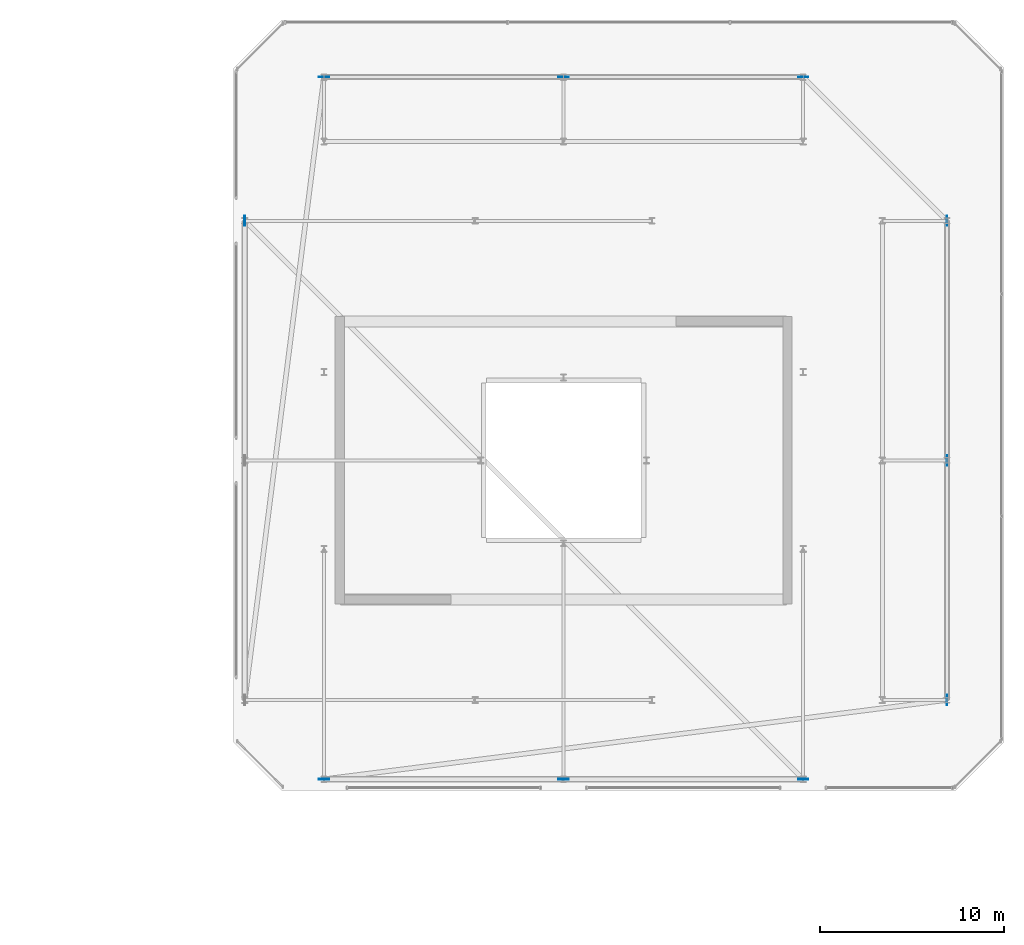
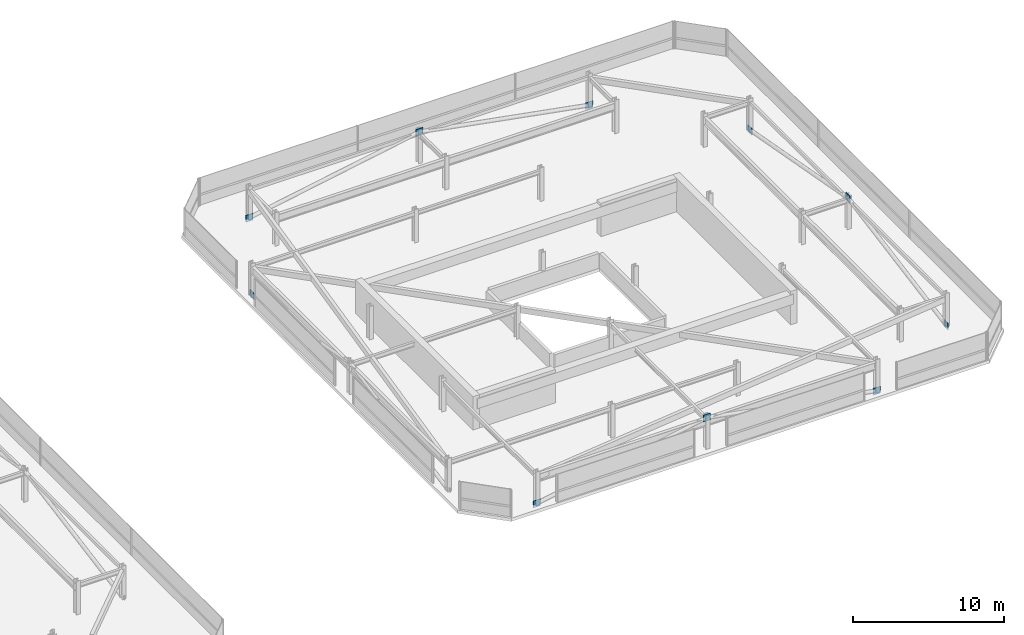
# One storey, part 41 of 42: 10 plates.
"""IFC4 building model written with IfcOpenShell, lengths in metres."""

from ifc_helpers import new_model, si_unit, direction, frame, origin, origin_2d, place, context, subcontext, project, spatial, rectangle, extrude, material, layer, layer_set, type_object, element, save


model = new_model("IFC4")

# Units and contexts
model_context = context("Model", 3, precision=1e-05, world=origin(), true_north=direction((0.0, 1.0)))
body_context = subcontext(model_context, "Body", "Model", "MODEL_VIEW")
ifc_project = project(units=[si_unit("LENGTHUNIT", "METRE"), si_unit("AREAUNIT", "SQUARE_METRE"), si_unit("VOLUMEUNIT", "CUBIC_METRE"), si_unit("PLANEANGLEUNIT", "RADIAN"), si_unit("MASSUNIT", "GRAM", prefix="KILO")], contexts=[model_context])

# Site, building, storey
site_placement = place(None, origin())
site = spatial("IfcSite", under=ifc_project, at=site_placement, CompositionType="ELEMENT")
building_placement = place(site_placement, origin())
building = spatial("IfcBuilding", under=site, at=building_placement, Name="Thornwick Lancets Civic Towers", CompositionType="ELEMENT")
storey_placement = place(building_placement, frame((0.0, 0.0, 286.800048828125)))
storey = spatial("IfcBuildingStorey", under=building, at=storey_placement, Name="C03", CompositionType="ELEMENT", Elevation=286.800048828125)

# Plates
ifc_material = material(Name="Steel S460M", Category="steel")
ifc_layer = layer(ifc_material, 0.0400390625, Name="Steel S460M")
ifc_layer_set = layer_set([ifc_layer], Name="Steel S460M")
plate_type = type_object("IfcPlateType", Name="PLT_GUSSET_40", PredefinedType="USERDEFINED", material=ifc_layer_set)
for number, where, z_axis, x_axis, name in (
    (1, (109.300048828125, 14.0, -0.22509765625), (0.0, 0.0, 1.0), (0.0, 1.0, 0.0), "C03 Brace Connection Gusset Plate 0497"),
    (2, (109.300048828125, 27.0, 2.1650390625), (0.0, 0.0, 1.0), (0.0, 1.0, 0.0), "C03 Brace Connection Gusset Plate 0498"),
    (3, (109.300048828125, 40.0, -0.22509765625), (0.0, 0.0, 1.0), (0.0, -1.0, 0.0), "C03 Brace Connection Gusset Plate 0499"),
    (4, (101.5, 47.800048828125, -0.22509765625), (0.0, 0.0, 1.0), (-1.0, 0.0, 0.0), "C03 Brace Connection Gusset Plate 0500"),
    (5, (88.5, 47.800048828125, 2.1650390625), (0.0, 0.0, 1.0), (-1.0, 0.0, 0.0), "C03 Brace Connection Gusset Plate 0501"),
    (6, (75.5, 47.800048828125, -0.22509765625), (0.0, 0.0, 1.0), (1.0, 0.0, 0.0), "C03 Brace Connection Gusset Plate 0502"),
    (7, (71.199951171875, 40.0, -0.22509765625), (0.0, 0.0, 1.0), (0.0, -1.0, 0.0), "C03 Brace Connection Gusset Plate 0505"),
    (8, (101.5, 9.699951171875, -0.22509765625), (0.0, 0.0, 1.0), (-1.0, 0.0, 0.0), "C03 Brace Connection Gusset Plate 0506"),
    (9, (88.5, 9.699951171875, 2.1650390625), (0.0, 0.0, 1.0), (-1.0, 0.0, 0.0), "C03 Brace Connection Gusset Plate 0507"),
    (10, (75.5, 9.699951171875, -0.22509765625), (0.0, 0.0, 1.0), (1.0, 0.0, 0.0), "C03 Brace Connection Gusset Plate 0508"),
):
    element("IfcPlate", number, at=place(storey_placement, frame(where, z_axis=z_axis, x_axis=x_axis)), inside=storey, type_object=plate_type, Name=name, ObjectType="GUSSET_PLATE", PredefinedType="USERDEFINED", context=body_context, shape_type="SweptSolid", body=[
        extrude(rectangle(XDim=0.550048828125, YDim=0.0400390625, at=origin_2d()), origin(), (0.0, 0.0, 1.0), 0.550048828125),
    ])

save(model, "model.ifc")
